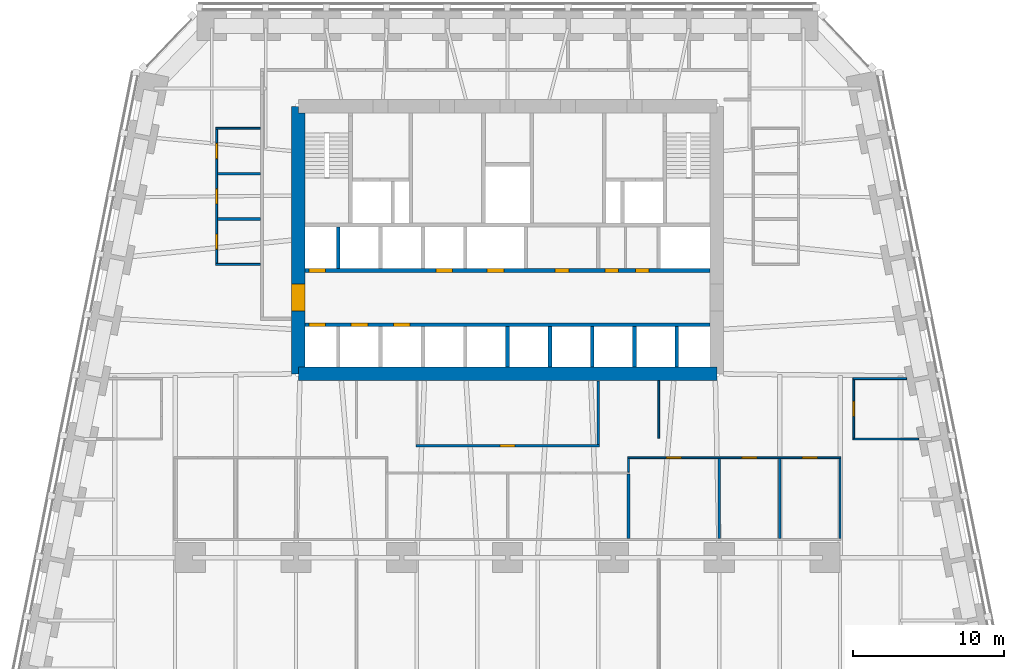
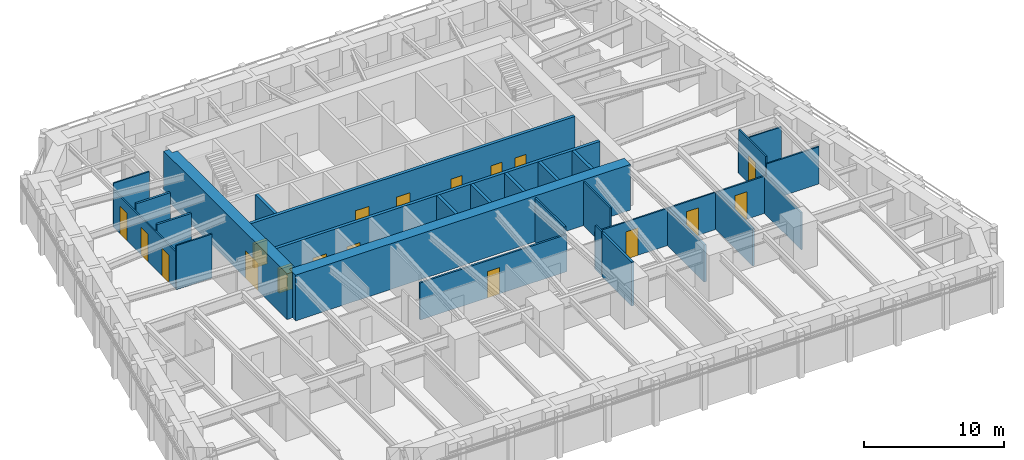
# One storey, part 6 of 10: 27 walls, 18 doors, 18 openings.
"""IFC4 building model written with IfcOpenShell, lengths in metres."""

from ifc_helpers import new_model, si_unit, direction, frame, frame_2d, origin, place, context, subcontext, project, spatial, polyline, rectangle, outline, extrude, material, layer, layer_set, type_object, element, fill, save


model = new_model("IFC4")

# Units and contexts
model_context = context("Model", 3, precision=1e-05, world=origin(), true_north=direction((0.0, 1.0)))
body_context = subcontext(model_context, "Body", "Model", "MODEL_VIEW")
ifc_project = project(units=[si_unit("LENGTHUNIT", "METRE"), si_unit("AREAUNIT", "SQUARE_METRE"), si_unit("VOLUMEUNIT", "CUBIC_METRE"), si_unit("PLANEANGLEUNIT", "RADIAN"), si_unit("MASSUNIT", "GRAM", prefix="KILO")], contexts=[model_context])

# Site, building, storey
site_placement = place(None, origin())
site = spatial("IfcSite", under=ifc_project, at=site_placement, CompositionType="ELEMENT")
building_placement = place(site_placement, origin())
building = spatial("IfcBuilding", under=site, at=building_placement, Name="Isbrekke Arena Tower", CompositionType="ELEMENT")
storey_placement = place(building_placement, frame((0.0, 0.0, 80.0)))
storey = spatial("IfcBuildingStorey", under=building, at=storey_placement, Name="L17", CompositionType="ELEMENT", Elevation=80.0)

# Wall
ifc_material_1 = material(Name="Concrete B65 (C65/80)", Category="concrete")
ifc_layer_1 = layer(ifc_material_1, 0.89990234375)
ifc_layer_set_1 = layer_set([ifc_layer_1], Name="CW2 CORE WALL 900")
wall_type_1 = type_object("IfcWallType", Name="CW2 CORE WALL 900", PredefinedType="SHEAR", material=ifc_layer_set_1)
wall_1_placement = place(storey_placement, frame((-13.85009765625, 6.14990234375, 0.0), z_axis=(0.0, 0.0, 1.0), x_axis=(1.0, 0.0, 0.0)))
element("IfcWall", 1, at=wall_1_placement, inside=storey, type_object=wall_type_1, Name="Core wall S L17", PredefinedType="SHEAR", context=body_context, shape_type="SweptSolid", body=[
    extrude(rectangle(XDim=27.7001953125, YDim=0.89990234375, at=frame_2d((13.85009765625, 0.0))), origin(), (0.0, 0.0, 1.0), 4.0),
])

# Wall, opening, door
wall_2_placement = place(storey_placement, frame((-13.85009765625, 23.85009765625, 0.0), z_axis=(0.0, 0.0, 1.0), x_axis=(0.0, -1.0, 0.0)))
wall_2 = element("IfcWall", 2, at=wall_2_placement, inside=storey, type_object=wall_type_1, Name="Core wall W L17", PredefinedType="SHEAR", context=body_context, shape_type="SweptSolid", body=[
    extrude(outline(polyline([(0.0, -0.449951171875), (17.7001953125, -0.449951171875), (17.7001953125, 0.0), (17.250244140625, 0.0), (17.250244140625, 0.449951171875), (0.449951171875, 0.449951171875), (0.449951171875, 0.0), (0.0, 0.0), (0.0, -0.449951171875)])), origin(), (0.0, 0.0, 1.0), 4.0),
])
opening_1_placement = place(wall_2_placement, frame((11.75, 0.0, 0.0)))
opening_1 = element("IfcOpeningElement", 3, at=opening_1_placement, cuts=wall_2, Name="Opening D1", PredefinedType="OPENING", context=body_context, shape_type="SweptSolid", body=[
    extrude(rectangle(XDim=1.800048828125, YDim=2.39990234375, at=frame_2d((0.89990234375, 1.199951171875))), frame((0.0, 0.46484375, 0.0), z_axis=(0.0, -1.0, 0.0), x_axis=(1.0, 0.0, 0.0)), (0.0, 0.0, 1.0), 0.9296875),
])
ifc_material_2 = material(Name="Steel-framed glazed fire door", Category="steel")
door_type_1 = type_object("IfcDoorType", Name="D1 CORE LOBBY DOOR 1800 x 2400", OperationType="DOUBLE_DOOR_SINGLE_SWING", PredefinedType="DOOR", material=ifc_material_2)
door_1_placement = place(opening_1_placement, origin())
door_1 = element("IfcDoor", 4, at=door_1_placement, inside=storey, type_object=door_type_1, Name="D1 lift lobby door west L17", OperationType="DOUBLE_DOOR_SINGLE_SWING", OverallHeight=2.39990234375, OverallWidth=1.800048828125, PredefinedType="DOOR", context=body_context, shape_type="SweptSolid", body=[
    extrude(rectangle(XDim=1.800048828125, YDim=2.39990234375, at=frame_2d((0.89990234375, 1.199951171875))), frame((0.0, 0.44970703125, 0.0), z_axis=(0.0, -1.0, 0.0), x_axis=(1.0, 0.0, 0.0)), (0.0, 0.0, 1.0), 0.8994140625),
])
fill(opening_1, door_1)

# Wall, openings, doors
ifc_material_3 = material(Name="Concrete B45 (C45/55)", Category="concrete")
ifc_layer_2 = layer(ifc_material_3, 0.25)
ifc_layer_set_2 = layer_set([ifc_layer_2], Name="CW6 SHAFT WALL 250")
wall_type_2 = type_object("IfcWallType", Name="CW6 SHAFT WALL 250", PredefinedType="SHEAR", material=ifc_layer_set_2)
wall_3_placement = place(storey_placement, frame((-13.39990234375, 9.39990234375, 0.0), z_axis=(0.0, 0.0, 1.0), x_axis=(1.0, 0.0, 0.0)))
wall_3 = element("IfcWall", 5, at=wall_3_placement, inside=storey, type_object=wall_type_2, Name="Core wall LS L17", PredefinedType="SHEAR", context=body_context, shape_type="SweptSolid", body=[
    extrude(rectangle(XDim=26.7998046875, YDim=0.25, at=frame_2d((13.39990234375, 0.0))), origin(), (0.0, 0.0, 1.0), 4.0),
])
opening_2_placement = place(wall_3_placement, frame((0.25, 0.0, 0.0)))
opening_2 = element("IfcOpeningElement", 6, at=opening_2_placement, cuts=wall_3, Name="Opening LD1", PredefinedType="OPENING", context=body_context, shape_type="SweptSolid", body=[
    extrude(rectangle(XDim=1.10009765625, YDim=2.10009765625, at=frame_2d((0.550048828125, 1.050048828125))), frame((0.0, 0.139892578125, 0.0), z_axis=(0.0, -1.0, 0.0), x_axis=(1.0, 0.0, 0.0)), (0.0, 0.0, 1.0), 0.27978515625),
])
opening_3_placement = place(wall_3_placement, frame((3.050048828125, 0.0, 0.0)))
opening_3 = element("IfcOpeningElement", 7, at=opening_3_placement, cuts=wall_3, Name="Opening LD1", PredefinedType="OPENING", context=body_context, shape_type="SweptSolid", body=[
    extrude(rectangle(XDim=1.10009765625, YDim=2.10009765625, at=frame_2d((0.550048828125, 1.050048828125))), frame((0.0, 0.139892578125, 0.0), z_axis=(0.0, -1.0, 0.0), x_axis=(1.0, 0.0, 0.0)), (0.0, 0.0, 1.0), 0.27978515625),
])
opening_4_placement = place(wall_3_placement, frame((5.85009765625, 0.0, 0.0)))
opening_4 = element("IfcOpeningElement", 8, at=opening_4_placement, cuts=wall_3, Name="Opening LD1", PredefinedType="OPENING", context=body_context, shape_type="SweptSolid", body=[
    extrude(rectangle(XDim=1.10009765625, YDim=2.10009765625, at=frame_2d((0.550048828125, 1.050048828125))), frame((0.0, 0.139892578125, 0.0), z_axis=(0.0, -1.0, 0.0), x_axis=(1.0, 0.0, 0.0)), (0.0, 0.0, 1.0), 0.27978515625),
])
ifc_material_4 = material(Name="Stainless steel lift landing door", Category="steel")
door_type_2 = type_object("IfcDoorType", Name="LD1 LIFT LANDING DOOR 1100 x 2100", OperationType="SLIDING_TO_LEFT", PredefinedType="DOOR", material=ifc_material_4)
door_2_placement = place(opening_2_placement, origin())
door_2 = element("IfcDoor", 9, at=door_2_placement, inside=storey, type_object=door_type_2, Name="LD1 lift landing door LA L17", OperationType="SLIDING_TO_LEFT", OverallHeight=2.10009765625, OverallWidth=1.10009765625, PredefinedType="DOOR", context=body_context, shape_type="SweptSolid", body=[
    extrude(rectangle(XDim=1.10009765625, YDim=2.10009765625, at=frame_2d((0.550048828125, 1.050048828125))), frame((0.0, 0.124755859375, 0.0), z_axis=(0.0, -1.0, 0.0), x_axis=(1.0, 0.0, 0.0)), (0.0, 0.0, 1.0), 0.24951171875),
])
fill(opening_2, door_2)
door_3_placement = place(opening_3_placement, origin())
door_3 = element("IfcDoor", 10, at=door_3_placement, inside=storey, type_object=door_type_2, Name="LD1 lift landing door LA L17", OperationType="SLIDING_TO_LEFT", OverallHeight=2.10009765625, OverallWidth=1.10009765625, PredefinedType="DOOR", context=body_context, shape_type="SweptSolid", body=[
    extrude(rectangle(XDim=1.10009765625, YDim=2.10009765625, at=frame_2d((0.550048828125, 1.050048828125))), frame((0.0, 0.124755859375, 0.0), z_axis=(0.0, -1.0, 0.0), x_axis=(1.0, 0.0, 0.0)), (0.0, 0.0, 1.0), 0.24951171875),
])
fill(opening_3, door_3)
door_4_placement = place(opening_4_placement, origin())
door_4 = element("IfcDoor", 11, at=door_4_placement, inside=storey, type_object=door_type_2, Name="LD1 lift landing door LA L17", OperationType="SLIDING_TO_LEFT", OverallHeight=2.10009765625, OverallWidth=1.10009765625, PredefinedType="DOOR", context=body_context, shape_type="SweptSolid", body=[
    extrude(rectangle(XDim=1.10009765625, YDim=2.10009765625, at=frame_2d((0.550048828125, 1.050048828125))), frame((0.0, 0.124755859375, 0.0), z_axis=(0.0, -1.0, 0.0), x_axis=(1.0, 0.0, 0.0)), (0.0, 0.0, 1.0), 0.24951171875),
])
fill(opening_4, door_4)

wall_4_placement = place(storey_placement, frame((-13.39990234375, 13.0, 0.0), z_axis=(0.0, 0.0, 1.0), x_axis=(1.0, 0.0, 0.0)))
wall_4 = element("IfcWall", 12, at=wall_4_placement, inside=storey, type_object=wall_type_2, Name="Core wall LN L17", PredefinedType="SHEAR", context=body_context, shape_type="SweptSolid", body=[
    extrude(rectangle(XDim=26.7998046875, YDim=0.25, at=frame_2d((13.39990234375, 0.0))), origin(), (0.0, 0.0, 1.0), 4.0),
])
opening_5_placement = place(wall_4_placement, frame((0.25, 0.0, 0.0)))
opening_5 = element("IfcOpeningElement", 13, at=opening_5_placement, cuts=wall_4, Name="Opening LD1", PredefinedType="OPENING", context=body_context, shape_type="SweptSolid", body=[
    extrude(rectangle(XDim=1.10009765625, YDim=2.10009765625, at=frame_2d((0.550048828125, 1.050048828125))), frame((0.0, 0.139892578125, 0.0), z_axis=(0.0, -1.0, 0.0), x_axis=(1.0, 0.0, 0.0)), (0.0, 0.0, 1.0), 0.27978515625),
])
opening_6_placement = place(wall_4_placement, frame((8.64990234375, 0.0, 0.0)))
opening_6 = element("IfcOpeningElement", 14, at=opening_6_placement, cuts=wall_4, Name="Opening LD1", PredefinedType="OPENING", context=body_context, shape_type="SweptSolid", body=[
    extrude(rectangle(XDim=1.10009765625, YDim=2.10009765625, at=frame_2d((0.550048828125, 1.050048828125))), frame((0.0, 0.139892578125, 0.0), z_axis=(0.0, -1.0, 0.0), x_axis=(1.0, 0.0, 0.0)), (0.0, 0.0, 1.0), 0.27978515625),
])
opening_7_placement = place(wall_4_placement, frame((12.050048828125, 0.0, 0.0)))
opening_7 = element("IfcOpeningElement", 15, at=opening_7_placement, cuts=wall_4, Name="Opening LD1", PredefinedType="OPENING", context=body_context, shape_type="SweptSolid", body=[
    extrude(rectangle(XDim=1.10009765625, YDim=2.10009765625, at=frame_2d((0.550048828125, 1.050048828125))), frame((0.0, 0.139892578125, 0.0), z_axis=(0.0, -1.0, 0.0), x_axis=(1.0, 0.0, 0.0)), (0.0, 0.0, 1.0), 0.27978515625),
])
opening_8_placement = place(wall_4_placement, frame((16.550048828125, 0.0, 0.0)))
opening_8 = element("IfcOpeningElement", 16, at=opening_8_placement, cuts=wall_4, Name="Opening D5", PredefinedType="OPENING", context=body_context, shape_type="SweptSolid", body=[
    extrude(rectangle(XDim=0.89990234375, YDim=2.10009765625, at=frame_2d((0.449951171875, 1.050048828125))), frame((0.0, 0.139892578125, 0.0), z_axis=(0.0, -1.0, 0.0), x_axis=(1.0, 0.0, 0.0)), (0.0, 0.0, 1.0), 0.27978515625),
])
opening_9_placement = place(wall_4_placement, frame((19.85009765625, 0.0, 0.0)))
opening_9 = element("IfcOpeningElement", 17, at=opening_9_placement, cuts=wall_4, Name="Opening D5", PredefinedType="OPENING", context=body_context, shape_type="SweptSolid", body=[
    extrude(rectangle(XDim=0.89990234375, YDim=2.10009765625, at=frame_2d((0.449951171875, 1.050048828125))), frame((0.0, 0.139892578125, 0.0), z_axis=(0.0, -1.0, 0.0), x_axis=(1.0, 0.0, 0.0)), (0.0, 0.0, 1.0), 0.27978515625),
])
opening_10_placement = place(wall_4_placement, frame((21.85009765625, 0.0, 0.0)))
opening_10 = element("IfcOpeningElement", 18, at=opening_10_placement, cuts=wall_4, Name="Opening D5", PredefinedType="OPENING", context=body_context, shape_type="SweptSolid", body=[
    extrude(rectangle(XDim=0.89990234375, YDim=2.10009765625, at=frame_2d((0.449951171875, 1.050048828125))), frame((0.0, 0.139892578125, 0.0), z_axis=(0.0, -1.0, 0.0), x_axis=(1.0, 0.0, 0.0)), (0.0, 0.0, 1.0), 0.27978515625),
])
ifc_material_5 = material(Name="Steel fire door", Category="steel")
door_type_3 = type_object("IfcDoorType", Name="D5 SERVICE DOOR 900 x 2100", OperationType="SINGLE_SWING_LEFT", PredefinedType="DOOR", material=ifc_material_5)
door_5_placement = place(opening_8_placement, origin())
door_5 = element("IfcDoor", 19, at=door_5_placement, inside=storey, type_object=door_type_3, Name="D5 quiet room door L17", OperationType="SINGLE_SWING_LEFT", OverallHeight=2.10009765625, OverallWidth=0.89990234375, PredefinedType="DOOR", context=body_context, shape_type="SweptSolid", body=[
    extrude(rectangle(XDim=0.89990234375, YDim=2.10009765625, at=frame_2d((0.449951171875, 1.050048828125))), frame((0.0, 0.124755859375, 0.0), z_axis=(0.0, -1.0, 0.0), x_axis=(1.0, 0.0, 0.0)), (0.0, 0.0, 1.0), 0.24951171875),
])
fill(opening_8, door_5)
door_6_placement = place(opening_9_placement, origin())
door_6 = element("IfcDoor", 20, at=door_6_placement, inside=storey, type_object=door_type_3, Name="D5 communications room door L17", OperationType="SINGLE_SWING_LEFT", OverallHeight=2.10009765625, OverallWidth=0.89990234375, PredefinedType="DOOR", context=body_context, shape_type="SweptSolid", body=[
    extrude(rectangle(XDim=0.89990234375, YDim=2.10009765625, at=frame_2d((0.449951171875, 1.050048828125))), frame((0.0, 0.124755859375, 0.0), z_axis=(0.0, -1.0, 0.0), x_axis=(1.0, 0.0, 0.0)), (0.0, 0.0, 1.0), 0.24951171875),
])
fill(opening_9, door_6)
door_7_placement = place(opening_10_placement, origin())
door_7 = element("IfcDoor", 21, at=door_7_placement, inside=storey, type_object=door_type_3, Name="D5 cleaner's store door L17", OperationType="SINGLE_SWING_LEFT", OverallHeight=2.10009765625, OverallWidth=0.89990234375, PredefinedType="DOOR", context=body_context, shape_type="SweptSolid", body=[
    extrude(rectangle(XDim=0.89990234375, YDim=2.10009765625, at=frame_2d((0.449951171875, 1.050048828125))), frame((0.0, 0.124755859375, 0.0), z_axis=(0.0, -1.0, 0.0), x_axis=(1.0, 0.0, 0.0)), (0.0, 0.0, 1.0), 0.24951171875),
])
fill(opening_10, door_7)
door_8_placement = place(opening_5_placement, origin())
door_8 = element("IfcDoor", 22, at=door_8_placement, inside=storey, type_object=door_type_2, Name="LD1 lift landing door LA L17", OperationType="SLIDING_TO_LEFT", OverallHeight=2.10009765625, OverallWidth=1.10009765625, PredefinedType="DOOR", context=body_context, shape_type="SweptSolid", body=[
    extrude(rectangle(XDim=1.10009765625, YDim=2.10009765625, at=frame_2d((0.550048828125, 1.050048828125))), frame((0.0, 0.124755859375, 0.0), z_axis=(0.0, -1.0, 0.0), x_axis=(1.0, 0.0, 0.0)), (0.0, 0.0, 1.0), 0.24951171875),
])
fill(opening_5, door_8)
door_9_placement = place(opening_6_placement, origin())
door_9 = element("IfcDoor", 23, at=door_9_placement, inside=storey, type_object=door_type_2, Name="LD1 lift landing door LA L17", OperationType="SLIDING_TO_LEFT", OverallHeight=2.10009765625, OverallWidth=1.10009765625, PredefinedType="DOOR", context=body_context, shape_type="SweptSolid", body=[
    extrude(rectangle(XDim=1.10009765625, YDim=2.10009765625, at=frame_2d((0.550048828125, 1.050048828125))), frame((0.0, 0.124755859375, 0.0), z_axis=(0.0, -1.0, 0.0), x_axis=(1.0, 0.0, 0.0)), (0.0, 0.0, 1.0), 0.24951171875),
])
fill(opening_6, door_9)
door_10_placement = place(opening_7_placement, origin())
door_10 = element("IfcDoor", 24, at=door_10_placement, inside=storey, type_object=door_type_2, Name="LD1 lift landing door LA L17", OperationType="SLIDING_TO_LEFT", OverallHeight=2.10009765625, OverallWidth=1.10009765625, PredefinedType="DOOR", context=body_context, shape_type="SweptSolid", body=[
    extrude(rectangle(XDim=1.10009765625, YDim=2.10009765625, at=frame_2d((0.550048828125, 1.050048828125))), frame((0.0, 0.124755859375, 0.0), z_axis=(0.0, -1.0, 0.0), x_axis=(1.0, 0.0, 0.0)), (0.0, 0.0, 1.0), 0.24951171875),
])
fill(opening_7, door_10)

# Walls
for number, where, z_axis, x_axis, name in (
    (25, (0.0, 6.60009765625, 0.0), (0.0, 0.0, 1.0), (0.0, 1.0, 0.0), "Core wall SS05 L17"),
    (26, (2.800048828125, 6.60009765625, 0.0), (0.0, 0.0, 1.0), (0.0, 1.0, 0.0), "Core wall SS06 L17"),
    (27, (5.60009765625, 6.60009765625, 0.0), (0.0, 0.0, 1.0), (0.0, 1.0, 0.0), "Core wall SS07 L17"),
    (28, (8.39990234375, 6.60009765625, 0.0), (0.0, 0.0, 1.0), (0.0, 1.0, 0.0), "Core wall SS08 L17"),
    (29, (11.199951171875, 6.60009765625, 0.0), (0.0, 0.0, 1.0), (0.0, 1.0, 0.0), "Core wall SS09 L17"),
):
    element("IfcWall", number, at=place(storey_placement, frame(where, z_axis=z_axis, x_axis=x_axis)), inside=storey, type_object=wall_type_2, Name=name, PredefinedType="SHEAR", context=body_context, shape_type="SweptSolid", body=[
        extrude(rectangle(XDim=2.6748046875, YDim=0.25, at=frame_2d((1.33740234375, 0.0))), origin(), (0.0, 0.0, 1.0), 4.0),
    ])
wall_5_placement = place(storey_placement, frame((-11.199951171875, 13.125, 0.0), z_axis=(0.0, 0.0, 1.0), x_axis=(0.0, 1.0, 0.0)))
element("IfcWall", 30, at=wall_5_placement, inside=storey, type_object=wall_type_2, Name="Core wall SN01 L17", PredefinedType="SHEAR", context=body_context, shape_type="SweptSolid", body=[
    extrude(rectangle(XDim=2.75, YDim=0.25, at=frame_2d((1.375, 0.0))), origin(), (0.0, 0.0, 1.0), 4.0),
])

# Wall, opening, door
ifc_material_6 = material(Name="Gypsum board partition on steel studs", Category="steel")
ifc_layer_3 = layer(ifc_material_6, 0.14990234375)
ifc_layer_set_3 = layer_set([ifc_layer_3], Name="IW1 PARTITION 150")
wall_type_3 = type_object("IfcWallType", Name="IW1 PARTITION 150", PredefinedType="PARTITIONING", material=ifc_layer_set_3)
wall_6_placement = place(storey_placement, frame((-6.074951171875, 1.39990234375, 0.0), z_axis=(0.0, 0.0, 1.0), x_axis=(1.0, 0.0, 0.0)))
wall_6 = element("IfcWall", 31, at=wall_6_placement, inside=storey, type_object=wall_type_3, Name="IW1 partition 150 L17", PredefinedType="PARTITIONING", context=body_context, shape_type="SweptSolid", body=[
    extrude(rectangle(XDim=12.14990234375, YDim=0.14990234375, at=frame_2d((6.074951171875, 0.0))), origin(), (0.0, 0.0, 1.0), 3.25),
])
opening_11_placement = place(wall_6_placement, frame((5.574951171875, 0.0, 0.0)))
opening_11 = element("IfcOpeningElement", 32, at=opening_11_placement, cuts=wall_6, Name="Opening D10", PredefinedType="OPENING", context=body_context, shape_type="SweptSolid", body=[
    extrude(rectangle(XDim=1.0, YDim=2.300048828125, at=frame_2d((0.5, 1.14990234375))), frame((0.0, 0.08984375, 0.0), z_axis=(0.0, -1.0, 0.0), x_axis=(1.0, 0.0, 0.0)), (0.0, 0.0, 1.0), 0.1796875),
])
ifc_material_7 = material(Name="Timber door", Category="wood")
door_type_4 = type_object("IfcDoorType", Name="D10 OFFICE DOOR 1000 x 2300", OperationType="SINGLE_SWING_LEFT", PredefinedType="DOOR", material=ifc_material_7)
door_11_placement = place(opening_11_placement, origin())
door_11 = element("IfcDoor", 33, at=door_11_placement, inside=storey, type_object=door_type_4, Name="D10 pantry door L17", OperationType="SINGLE_SWING_LEFT", OverallHeight=2.300048828125, OverallWidth=1.0, PredefinedType="DOOR", context=body_context, shape_type="SweptSolid", body=[
    extrude(rectangle(XDim=1.0, YDim=2.300048828125, at=frame_2d((0.5, 1.14990234375))), frame((0.0, 0.07470703125, 0.0), z_axis=(0.0, -1.0, 0.0), x_axis=(1.0, 0.0, 0.0)), (0.0, 0.0, 1.0), 0.1494140625),
])
fill(opening_11, door_11)

# Wall
wall_7_placement = place(storey_placement, frame((6.0, 1.47509765625, 0.0), z_axis=(0.0, 0.0, 1.0), x_axis=(0.0, 1.0, 0.0)))
element("IfcWall", 34, at=wall_7_placement, inside=storey, type_object=wall_type_3, Name="IW1 partition 150 L17", PredefinedType="PARTITIONING", context=body_context, shape_type="SweptSolid", body=[
    extrude(rectangle(XDim=4.19482421875, YDim=0.14990234375, at=frame_2d((2.097412109375, 0.0))), origin(), (0.0, 0.0, 1.0), 3.85009765625),
])

# Wall, openings, doors
ifc_material_8 = material(Name="Frameless glazed partition, laminated acoustic glass", Category="glass")
ifc_layer_4 = layer(ifc_material_8, 0.1201171875)
ifc_layer_set_4 = layer_set([ifc_layer_4], Name="IW2 GLAZED PARTITION 120")
wall_type_4 = type_object("IfcWallType", Name="IW2 GLAZED PARTITION 120", PredefinedType="PARTITIONING", material=ifc_layer_set_4)
wall_8_placement = place(storey_placement, frame((7.93994140625, 0.60009765625, 0.0), z_axis=(0.0, 0.0, 1.0), x_axis=(1.0, 0.0, 0.0)))
wall_8 = element("IfcWall", 35, at=wall_8_placement, inside=storey, type_object=wall_type_4, Name="IW2 glazed partition 120 L17", PredefinedType="PARTITIONING", context=body_context, shape_type="SweptSolid", body=[
    extrude(rectangle(XDim=14.1201171875, YDim=0.1201171875, at=frame_2d((7.06005859375, 0.0))), origin(), (0.0, 0.0, 1.0), 3.25),
])
opening_12_placement = place(wall_8_placement, frame((7.56005859375, 0.0, 0.0)))
opening_12 = element("IfcOpeningElement", 36, at=opening_12_placement, cuts=wall_8, Name="Opening D11", PredefinedType="OPENING", context=body_context, shape_type="SweptSolid", body=[
    extrude(rectangle(XDim=1.0, YDim=2.39990234375, at=frame_2d((0.5, 1.199951171875))), frame((0.0, 0.074951171875, 0.0), z_axis=(0.0, -1.0, 0.0), x_axis=(1.0, 0.0, 0.0)), (0.0, 0.0, 1.0), 0.14990234375),
])
opening_13_placement = place(wall_8_placement, frame((11.56005859375, 0.0, 0.0)))
opening_13 = element("IfcOpeningElement", 37, at=opening_13_placement, cuts=wall_8, Name="Opening D11", PredefinedType="OPENING", context=body_context, shape_type="SweptSolid", body=[
    extrude(rectangle(XDim=1.0, YDim=2.39990234375, at=frame_2d((0.5, 1.199951171875))), frame((0.0, 0.074951171875, 0.0), z_axis=(0.0, -1.0, 0.0), x_axis=(1.0, 0.0, 0.0)), (0.0, 0.0, 1.0), 0.14990234375),
])
opening_14_placement = place(wall_8_placement, frame((2.56005859375, 0.0, 0.0)))
opening_14 = element("IfcOpeningElement", 38, at=opening_14_placement, cuts=wall_8, Name="Opening D11", PredefinedType="OPENING", context=body_context, shape_type="SweptSolid", body=[
    extrude(rectangle(XDim=1.0, YDim=2.39990234375, at=frame_2d((0.5, 1.199951171875))), frame((0.0, 0.074951171875, 0.0), z_axis=(0.0, -1.0, 0.0), x_axis=(1.0, 0.0, 0.0)), (0.0, 0.0, 1.0), 0.14990234375),
])
ifc_material_9 = material(Name="Frameless glazed door", Category="glass")
door_type_5 = type_object("IfcDoorType", Name="D11 GLAZED MEETING ROOM DOOR 1000 x 2400", OperationType="SINGLE_SWING_RIGHT", PredefinedType="DOOR", material=ifc_material_9)
door_12_placement = place(opening_12_placement, origin())
door_12 = element("IfcDoor", 39, at=door_12_placement, inside=storey, type_object=door_type_5, Name="D11 meeting room door L17", OperationType="SINGLE_SWING_RIGHT", OverallHeight=2.39990234375, OverallWidth=1.0, PredefinedType="DOOR", context=body_context, shape_type="SweptSolid", body=[
    extrude(rectangle(XDim=1.0, YDim=2.39990234375, at=frame_2d((0.5, 1.199951171875))), frame((0.0, 0.059814453125, 0.0), z_axis=(0.0, -1.0, 0.0), x_axis=(1.0, 0.0, 0.0)), (0.0, 0.0, 1.0), 0.11962890625),
])
fill(opening_12, door_12)
door_13_placement = place(opening_13_placement, origin())
door_13 = element("IfcDoor", 40, at=door_13_placement, inside=storey, type_object=door_type_5, Name="D11 meeting room door L17", OperationType="SINGLE_SWING_RIGHT", OverallHeight=2.39990234375, OverallWidth=1.0, PredefinedType="DOOR", context=body_context, shape_type="SweptSolid", body=[
    extrude(rectangle(XDim=1.0, YDim=2.39990234375, at=frame_2d((0.5, 1.199951171875))), frame((0.0, 0.059814453125, 0.0), z_axis=(0.0, -1.0, 0.0), x_axis=(1.0, 0.0, 0.0)), (0.0, 0.0, 1.0), 0.11962890625),
])
fill(opening_13, door_13)
door_14_placement = place(opening_14_placement, origin())
door_14 = element("IfcDoor", 41, at=door_14_placement, inside=storey, type_object=door_type_5, Name="D11 meeting room door L17", OperationType="SINGLE_SWING_RIGHT", OverallHeight=2.39990234375, OverallWidth=1.0, PredefinedType="DOOR", context=body_context, shape_type="SweptSolid", body=[
    extrude(rectangle(XDim=1.0, YDim=2.39990234375, at=frame_2d((0.5, 1.199951171875))), frame((0.0, 0.059814453125, 0.0), z_axis=(0.0, -1.0, 0.0), x_axis=(1.0, 0.0, 0.0)), (0.0, 0.0, 1.0), 0.11962890625),
])
fill(opening_14, door_14)

# Walls
wall_9_placement = place(storey_placement, frame((22.840087890625, 1.840087890625, 0.0), z_axis=(0.0, 0.0, 1.0), x_axis=(1.0, 0.0, 0.0)))
element("IfcWall", 42, at=wall_9_placement, inside=storey, type_object=wall_type_4, Name="IW2 glazed partition 120 L17", PredefinedType="PARTITIONING", context=body_context, shape_type="SweptSolid", body=[
    extrude(rectangle(XDim=4.356201171875, YDim=0.1201171875, at=frame_2d((2.17822265625, 0.0))), origin(), (0.0, 0.0, 1.0), 3.25),
])
wall_10_placement = place(storey_placement, frame((22.840087890625, 5.840087890625, 0.0), z_axis=(0.0, 0.0, 1.0), x_axis=(1.0, 0.0, 0.0)))
element("IfcWall", 43, at=wall_10_placement, inside=storey, type_object=wall_type_4, Name="IW2 glazed partition 120 L17", PredefinedType="PARTITIONING", context=body_context, shape_type="SweptSolid", body=[
    extrude(rectangle(XDim=3.556396484375, YDim=0.1201171875, at=frame_2d((1.7783203125, 0.0))), origin(), (0.0, 0.0, 1.0), 2.842041015625),
])
for number, where, z_axis, x_axis, name in (
    (44, (-19.31005859375, 13.39990234375, 0.0), (0.0, 0.0, 1.0), (1.0, 0.0, 0.0), "IW2 glazed partition 120 L17"),
    (45, (-19.31005859375, 22.39990234375, 0.0), (0.0, 0.0, 1.0), (1.0, 0.0, 0.0), "IW2 glazed partition 120 L17"),
):
    element("IfcWall", number, at=place(storey_placement, frame(where, z_axis=z_axis, x_axis=x_axis)), inside=storey, type_object=wall_type_4, Name=name, PredefinedType="PARTITIONING", context=body_context, shape_type="SweptSolid", body=[
        extrude(rectangle(XDim=2.9599609375, YDim=0.1201171875, at=frame_2d((1.47998046875, 0.0))), origin(), (0.0, 0.0, 1.0), 3.85009765625),
    ])

# Wall, openings, doors
wall_11_placement = place(storey_placement, frame((-19.25, 13.4599609375, 0.0), z_axis=(0.0, 0.0, 1.0), x_axis=(0.0, 1.0, 0.0)))
wall_11 = element("IfcWall", 46, at=wall_11_placement, inside=storey, type_object=wall_type_4, Name="IW2 glazed partition 120 L17", PredefinedType="PARTITIONING", context=body_context, shape_type="SweptSolid", body=[
    extrude(rectangle(XDim=8.880126953125, YDim=0.1201171875, at=frame_2d((4.43994140625, 0.0))), origin(), (0.0, 0.0, 1.0), 3.25),
])
opening_15_placement = place(wall_11_placement, frame((0.93994140625, 0.0, 0.0)))
opening_15 = element("IfcOpeningElement", 47, at=opening_15_placement, cuts=wall_11, Name="Opening D11", PredefinedType="OPENING", context=body_context, shape_type="SweptSolid", body=[
    extrude(rectangle(XDim=1.0, YDim=2.39990234375, at=frame_2d((0.5, 1.199951171875))), frame((0.0, 0.074951171875, 0.0), z_axis=(0.0, -1.0, 0.0), x_axis=(1.0, 0.0, 0.0)), (0.0, 0.0, 1.0), 0.14990234375),
])
opening_16_placement = place(wall_11_placement, frame((3.93994140625, 0.0, 0.0)))
opening_16 = element("IfcOpeningElement", 48, at=opening_16_placement, cuts=wall_11, Name="Opening D11", PredefinedType="OPENING", context=body_context, shape_type="SweptSolid", body=[
    extrude(rectangle(XDim=1.0, YDim=2.39990234375, at=frame_2d((0.5, 1.199951171875))), frame((0.0, 0.074951171875, 0.0), z_axis=(0.0, -1.0, 0.0), x_axis=(1.0, 0.0, 0.0)), (0.0, 0.0, 1.0), 0.14990234375),
])
opening_17_placement = place(wall_11_placement, frame((6.93994140625, 0.0, 0.0)))
opening_17 = element("IfcOpeningElement", 49, at=opening_17_placement, cuts=wall_11, Name="Opening D11", PredefinedType="OPENING", context=body_context, shape_type="SweptSolid", body=[
    extrude(rectangle(XDim=1.0, YDim=2.39990234375, at=frame_2d((0.5, 1.199951171875))), frame((0.0, 0.074951171875, 0.0), z_axis=(0.0, -1.0, 0.0), x_axis=(1.0, 0.0, 0.0)), (0.0, 0.0, 1.0), 0.14990234375),
])
door_15_placement = place(opening_15_placement, origin())
door_15 = element("IfcDoor", 50, at=door_15_placement, inside=storey, type_object=door_type_5, Name="D11 quiet room door L17", OperationType="SINGLE_SWING_RIGHT", OverallHeight=2.39990234375, OverallWidth=1.0, PredefinedType="DOOR", context=body_context, shape_type="SweptSolid", body=[
    extrude(rectangle(XDim=1.0, YDim=2.39990234375, at=frame_2d((0.5, 1.199951171875))), frame((0.0, 0.059814453125, 0.0), z_axis=(0.0, -1.0, 0.0), x_axis=(1.0, 0.0, 0.0)), (0.0, 0.0, 1.0), 0.11962890625),
])
fill(opening_15, door_15)
door_16_placement = place(opening_16_placement, origin())
door_16 = element("IfcDoor", 51, at=door_16_placement, inside=storey, type_object=door_type_5, Name="D11 quiet room door L17", OperationType="SINGLE_SWING_RIGHT", OverallHeight=2.39990234375, OverallWidth=1.0, PredefinedType="DOOR", context=body_context, shape_type="SweptSolid", body=[
    extrude(rectangle(XDim=1.0, YDim=2.39990234375, at=frame_2d((0.5, 1.199951171875))), frame((0.0, 0.059814453125, 0.0), z_axis=(0.0, -1.0, 0.0), x_axis=(1.0, 0.0, 0.0)), (0.0, 0.0, 1.0), 0.11962890625),
])
fill(opening_16, door_16)
door_17_placement = place(opening_17_placement, origin())
door_17 = element("IfcDoor", 52, at=door_17_placement, inside=storey, type_object=door_type_5, Name="D11 quiet room door L17", OperationType="SINGLE_SWING_RIGHT", OverallHeight=2.39990234375, OverallWidth=1.0, PredefinedType="DOOR", context=body_context, shape_type="SweptSolid", body=[
    extrude(rectangle(XDim=1.0, YDim=2.39990234375, at=frame_2d((0.5, 1.199951171875))), frame((0.0, 0.059814453125, 0.0), z_axis=(0.0, -1.0, 0.0), x_axis=(1.0, 0.0, 0.0)), (0.0, 0.0, 1.0), 0.11962890625),
])
fill(opening_17, door_17)

# Walls
wall_12_placement = place(storey_placement, frame((8.0, -0.340087890625, 0.0), z_axis=(0.0, 0.0, 1.0), x_axis=(0.0, 1.0, 0.0)))
element("IfcWall", 53, at=wall_12_placement, inside=storey, type_object=wall_type_4, Name="IW2 glazed partition 120 L17", PredefinedType="PARTITIONING", context=body_context, shape_type="SweptSolid", body=[
    extrude(rectangle(XDim=0.880126953125, YDim=0.1201171875, at=frame_2d((0.43994140625, 0.0))), origin(), (0.0, 0.0, 1.0), 3.85009765625),
])
wall_13_placement = place(storey_placement, frame((22.0, -4.739990234375, 0.0), z_axis=(0.0, 0.0, 1.0), x_axis=(0.0, 1.0, 0.0)))
element("IfcWall", 54, at=wall_13_placement, inside=storey, type_object=wall_type_4, Name="IW2 glazed partition 120 L17", PredefinedType="PARTITIONING", context=body_context, shape_type="SweptSolid", body=[
    extrude(rectangle(XDim=5.280029296875, YDim=0.1201171875, at=frame_2d((2.64013671875, 0.0))), origin(), (0.0, 0.0, 1.0), 3.25),
])

# Wall, opening, door
wall_14_placement = place(storey_placement, frame((22.89990234375, 1.89990234375, 0.0), z_axis=(0.0, 0.0, 1.0), x_axis=(0.0, 1.0, 0.0)))
wall_14 = element("IfcWall", 55, at=wall_14_placement, inside=storey, type_object=wall_type_4, Name="IW2 glazed partition 120 L17", PredefinedType="PARTITIONING", context=body_context, shape_type="SweptSolid", body=[
    extrude(rectangle(XDim=3.880126953125, YDim=0.1201171875, at=frame_2d((1.93994140625, 0.0))), origin(), (0.0, 0.0, 1.0), 3.85009765625),
])
opening_18_placement = place(wall_14_placement, frame((1.43994140625, 0.0, 0.0)))
opening_18 = element("IfcOpeningElement", 56, at=opening_18_placement, cuts=wall_14, Name="Opening D11", PredefinedType="OPENING", context=body_context, shape_type="SweptSolid", body=[
    extrude(rectangle(XDim=1.0, YDim=2.39990234375, at=frame_2d((0.5, 1.199951171875))), frame((0.0, 0.074951171875, 0.0), z_axis=(0.0, -1.0, 0.0), x_axis=(1.0, 0.0, 0.0)), (0.0, 0.0, 1.0), 0.14990234375),
])
door_18_placement = place(opening_18_placement, origin())
door_18 = element("IfcDoor", 57, at=door_18_placement, inside=storey, type_object=door_type_5, Name="D11 project room door L17", OperationType="SINGLE_SWING_RIGHT", OverallHeight=2.39990234375, OverallWidth=1.0, PredefinedType="DOOR", context=body_context, shape_type="SweptSolid", body=[
    extrude(rectangle(XDim=1.0, YDim=2.39990234375, at=frame_2d((0.5, 1.199951171875))), frame((0.0, 0.059814453125, 0.0), z_axis=(0.0, -1.0, 0.0), x_axis=(1.0, 0.0, 0.0)), (0.0, 0.0, 1.0), 0.11962890625),
])
fill(opening_18, door_18)

# Walls
wall_15_placement = place(storey_placement, frame((10.0009765625, 1.8798828125, 0.0), z_axis=(0.0, 0.0, 1.0), x_axis=(0.0, 1.0, 0.0)))
element("IfcWall", 58, at=wall_15_placement, inside=storey, type_object=wall_type_4, Name="IW2 glazed partition 120 L17", PredefinedType="PARTITIONING", context=body_context, shape_type="SweptSolid", body=[
    extrude(rectangle(XDim=3.820068359375, YDim=0.1201171875, at=frame_2d((1.91015625, 0.0))), origin(), (0.0, 0.0, 1.0), 3.85009765625),
])
ifc_material_10 = material(Name="Gypsum board acoustic partition on twin steel studs", Category="steel")
ifc_layer_5 = layer(ifc_material_10, 0.175048828125)
ifc_layer_set_5 = layer_set([ifc_layer_5], Name="IW4 ACOUSTIC PARTITION 175")
wall_type_5 = type_object("IfcWallType", Name="IW4 ACOUSTIC PARTITION 175", PredefinedType="PARTITIONING", material=ifc_layer_set_5)
for number, where, z_axis, x_axis, name in (
    (59, (-19.18994140625, 16.39990234375, 0.0), (0.0, 0.0, 1.0), (1.0, 0.0, 0.0), "IW4 acoustic partition 175 L17"),
    (60, (-19.18994140625, 19.39990234375, 0.0), (0.0, 0.0, 1.0), (1.0, 0.0, 0.0), "IW4 acoustic partition 175 L17"),
):
    element("IfcWall", number, at=place(storey_placement, frame(where, z_axis=z_axis, x_axis=x_axis)), inside=storey, type_object=wall_type_5, Name=name, PredefinedType="PARTITIONING", context=body_context, shape_type="SweptSolid", body=[
        extrude(rectangle(XDim=2.83984375, YDim=0.175048828125, at=frame_2d((1.419921875, 0.0))), origin(), (0.0, 0.0, 1.0), 3.85009765625),
    ])
wall_16_placement = place(storey_placement, frame((8.0, -4.739990234375, 0.0), z_axis=(0.0, 0.0, 1.0), x_axis=(0.0, 1.0, 0.0)))
element("IfcWall", 61, at=wall_16_placement, inside=storey, type_object=wall_type_5, Name="IW4 acoustic partition 175 L17", PredefinedType="PARTITIONING", context=body_context, shape_type="SweptSolid", body=[
    extrude(rectangle(XDim=4.280029296875, YDim=0.175048828125, at=frame_2d((2.14013671875, 0.0))), origin(), (0.0, 0.0, 1.0), 3.85009765625),
])
for number, where, z_axis, x_axis, name in (
    (62, (14.0, -4.739990234375, 0.0), (0.0, 0.0, 1.0), (0.0, 1.0, 0.0), "IW4 acoustic partition 175 L17"),
    (63, (18.0, -4.739990234375, 0.0), (0.0, 0.0, 1.0), (0.0, 1.0, 0.0), "IW4 acoustic partition 175 L17"),
):
    element("IfcWall", number, at=place(storey_placement, frame(where, z_axis=z_axis, x_axis=x_axis)), inside=storey, type_object=wall_type_5, Name=name, PredefinedType="PARTITIONING", context=body_context, shape_type="SweptSolid", body=[
        extrude(rectangle(XDim=5.280029296875, YDim=0.175048828125, at=frame_2d((2.64013671875, 0.0))), origin(), (0.0, 0.0, 1.0), 3.25),
    ])

save(model, "model.ifc")
